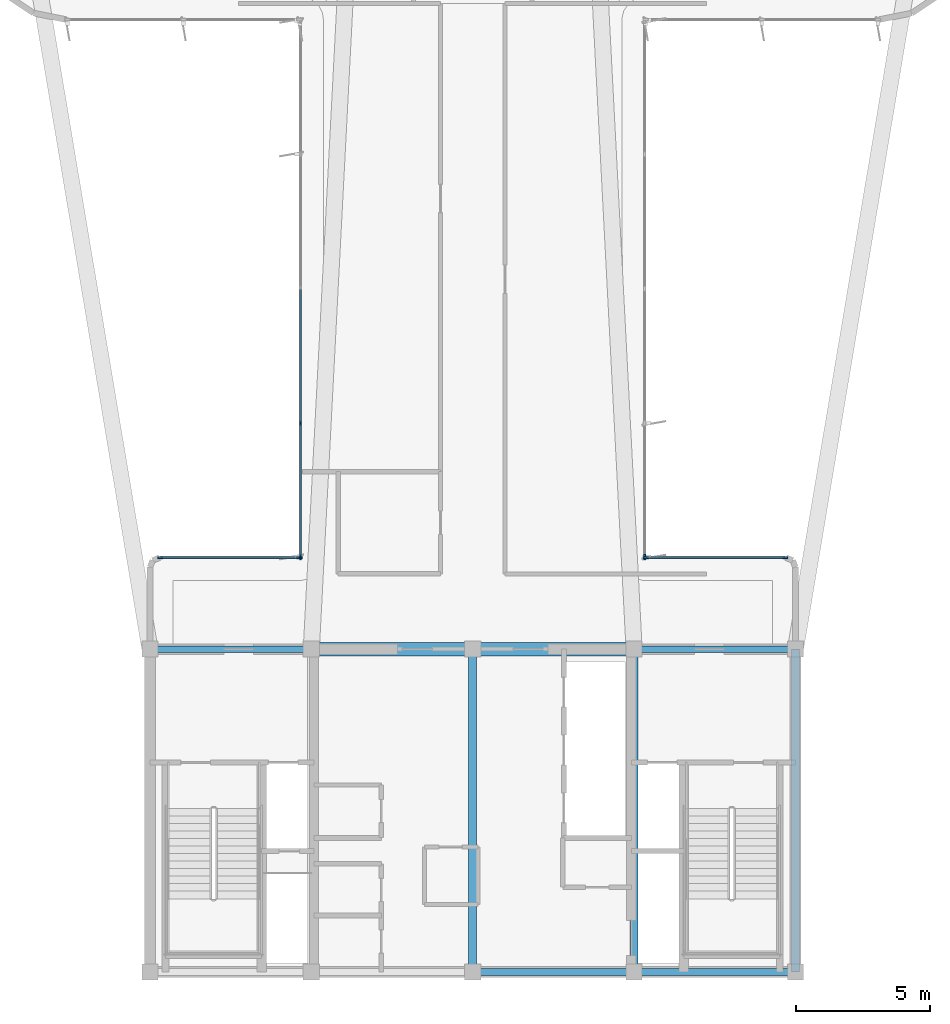
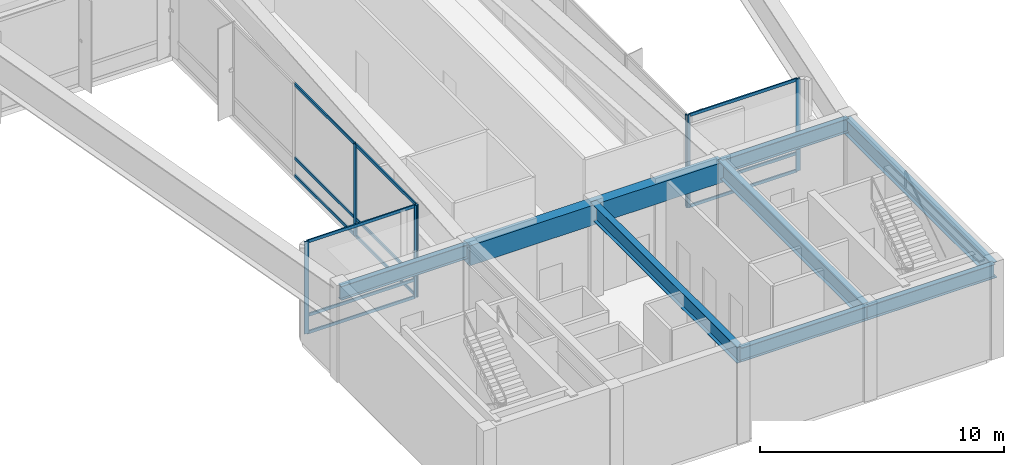
# One storey, part 2 of 13: 19 members, 8 beams, 4 elements without a shape of their own.
"""IFC4 building model written with IfcOpenShell, lengths in metres."""

from ifc_helpers import new_model, si_unit, direction, frame, origin, origin_2d, place, context, subcontext, project, spatial, rectangle, i_section, extrude, source, transform, mapped, material, layer, layer_set, material_profile, profile_set, type_object, element, aggregate, save


model = new_model("IFC4")

# Units and contexts
model_context = context("Model", 3, precision=1e-05, world=origin(), true_north=direction((0.0, 1.0)))
body_context = subcontext(model_context, "Body", "Model", "MODEL_VIEW")
ifc_project = project(units=[si_unit("LENGTHUNIT", "METRE"), si_unit("AREAUNIT", "SQUARE_METRE"), si_unit("VOLUMEUNIT", "CUBIC_METRE"), si_unit("PLANEANGLEUNIT", "RADIAN"), si_unit("MASSUNIT", "GRAM", prefix="KILO")], contexts=[model_context])

# Site, building, storey
site_placement = place(None, origin())
site = spatial("IfcSite", under=ifc_project, at=site_placement, CompositionType="ELEMENT")
building_placement = place(site_placement, origin())
building = spatial("IfcBuilding", under=site, at=building_placement, Name="Brelvock Crest Care Tower", CompositionType="ELEMENT")
storey_placement = place(building_placement, frame((0.0, 0.0, 291.06005859375)))
storey = spatial("IfcBuildingStorey", under=building, at=storey_placement, Name="L74", CompositionType="ELEMENT", Elevation=291.06005859375)

# Beams
ifc_material_1 = material(Name="Steel Grade 350", Category="steel")
ifc_material_profile_1 = material_profile(ifc_material_1, i_section(OverallWidth=0.25, OverallDepth=0.699951171875, WebThickness=0.011962890625, FlangeThickness=0.02001953125, at=origin_2d()), Name="700WB150")
ifc_profile_set_1 = profile_set([ifc_material_profile_1], Name="Steel Grade 350")
beam_type_1 = type_object("IfcBeamType", Name="BM-G4", PredefinedType="BEAM", material=ifc_profile_set_1)
shared_shape_1 = source(origin(), body_context, "Body", "SweptSolid", [
    extrude(i_section(OverallWidth=0.25, OverallDepth=0.699951171875, WebThickness=0.011962890625, FlangeThickness=0.02001953125, at=origin_2d()), origin(), (0.0, 0.0, 1.0), 6.0),
])
for number, where, z_axis, x_axis, name in (
    (1, (24.0, 18.0, 4.260009765625), (1.0, 0.0, 0.0), (0.0, 1.0, 0.0), "BM-COREN-L74-1"),
    (2, (36.0, 6.0, 4.260009765625), (1.0, 0.0, 0.0), (0.0, 1.0, 0.0), "BM-CORES-L74-3"),
    (3, (42.0, 6.0, 4.260009765625), (1.0, 0.0, 0.0), (0.0, 1.0, 0.0), "BM-CORES-L74-4"),
    (4, (42.0, 18.0, 4.260009765625), (1.0, 0.0, 0.0), (0.0, 1.0, 0.0), "BM-COREN-L74-4"),
):
    element("IfcBeam", number, at=place(storey_placement, frame(where, z_axis=z_axis, x_axis=x_axis)), inside=storey, type_object=beam_type_1, Name=name, PredefinedType="BEAM", context=body_context, shape_type="MappedRepresentation", body=[
        mapped(shared_shape_1, transform((0.0, 0.0, 0.0), x_axis=(1.0, 0.0, 0.0), y_axis=(0.0, 1.0, 0.0), z_axis=(0.0, 0.0, 1.0), scale=1.0)),
    ])
ifc_material_profile_2 = material_profile(ifc_material_1, i_section(OverallWidth=0.300048828125, OverallDepth=0.800048828125, WebThickness=0.013916015625, FlangeThickness=0.02197265625, at=origin_2d()), Name="800WB192")
ifc_profile_set_2 = profile_set([ifc_material_profile_2], Name="Steel Grade 350")
beam_type_2 = type_object("IfcBeamType", Name="BM-G5", PredefinedType="BEAM", material=ifc_profile_set_2)
shared_shape_2 = source(origin(), body_context, "Body", "SweptSolid", [
    extrude(i_section(OverallWidth=0.300048828125, OverallDepth=0.800048828125, WebThickness=0.013916015625, FlangeThickness=0.02197265625, at=origin_2d()), origin(), (0.0, 0.0, 1.0), 12.0),
])
for number, where, z_axis, x_axis, name in (
    (5, (36.0, 6.0, 4.2099609375), (0.0, 1.0, 0.0), (-1.0, 0.0, 0.0), "BM-COREX-L74-3"),
    (6, (42.0, 6.0, 4.2099609375), (0.0, 1.0, 0.0), (-1.0, 0.0, 0.0), "BM-COREX-L74-4"),
    (7, (48.0, 6.0, 4.2099609375), (0.0, 1.0, 0.0), (-1.0, 0.0, 0.0), "BM-COREX-L74-5"),
):
    element("IfcBeam", number, at=place(storey_placement, frame(where, z_axis=z_axis, x_axis=x_axis)), inside=storey, type_object=beam_type_2, Name=name, PredefinedType="BEAM", context=body_context, shape_type="MappedRepresentation", body=[
        mapped(shared_shape_2, transform((0.0, 0.0, 0.0), x_axis=(1.0, 0.0, 0.0), y_axis=(0.0, 1.0, 0.0), z_axis=(0.0, 0.0, 1.0), scale=1.0)),
    ])
ifc_material_2 = material(Name="Concrete S65 (65 MPa)", Category="concrete")
ifc_material_profile_3 = material_profile(ifc_material_2, rectangle(XDim=0.5, YDim=1.0, at=origin_2d()), Name="RC500x1000")
ifc_profile_set_3 = profile_set([ifc_material_profile_3], Name="Concrete S65 (65 MPa)")
beam_type_3 = type_object("IfcBeamType", Name="BM-LN2", PredefinedType="LINTEL", material=ifc_profile_set_3)
shared_shape_3 = source(origin(), body_context, "Body", "SweptSolid", [
    extrude(rectangle(XDim=0.5, YDim=1.0, at=origin_2d()), origin(), (0.0, 0.0, 1.0), 12.0),
])
beam_placement = place(storey_placement, frame((30.0, 18.0, 4.10986328125), z_axis=(1.0, 0.0, 0.0), x_axis=(0.0, 1.0, 0.0)))
element("IfcBeam", 8, at=beam_placement, inside=storey, type_object=beam_type_3, Name="L74 Core Coupling Lintel Beam", PredefinedType="LINTEL", context=body_context, shape_type="MappedRepresentation", body=[
    mapped(shared_shape_3, transform((0.0, 0.0, 0.0), x_axis=(1.0, 0.0, 0.0), y_axis=(0.0, 1.0, 0.0), z_axis=(0.0, 0.0, 1.0), scale=1.0)),
])

# Curtain wall, members
ifc_material_3 = material(Name="Dark Glass Double Glazed Low-E", Category="glass")
ifc_layer = layer(ifc_material_3, 0.2548828125, Name="CWS-6")
ifc_layer_set = layer_set([ifc_layer], Name="Dark Glass Double Glazed Low-E")
curtain_wall_type = type_object("IfcCurtainWallType", Name="CWS-6", PredefinedType="NOTDEFINED", material=ifc_layer_set)
curtain_wall_1_placement = place(storey_placement, origin())
curtain_wall_1 = element("IfcCurtainWall", 9, at=curtain_wall_1_placement, inside=storey, type_object=curtain_wall_type, Name="L74 Curtain Wall E11", PredefinedType="NOTDEFINED")
ifc_material_4 = material(Name="Aluminium 6063-T6", Category="aluminium")
ifc_material_profile_4 = material_profile(ifc_material_4, rectangle(XDim=0.06494140625, YDim=0.14990234375, at=origin_2d()), Name="ALU65x150")
ifc_profile_set_4 = profile_set([ifc_material_profile_4], Name="Aluminium 6063-T6")
member_type_1 = type_object("IfcMemberType", Name="CWT-1", PredefinedType="USERDEFINED", material=ifc_profile_set_4)
shared_shape_4 = source(origin(), body_context, "Body", "SweptSolid", [
    extrude(rectangle(XDim=0.06494140625, YDim=0.14990234375, at=origin_2d()), origin(), (0.0, 0.0, 1.0), 5.119873046875),
])
member_1_placement = place(storey_placement, frame((42.465087890625, 21.39990234375, 0.032470703125), z_axis=(1.0, 0.0, 0.0), x_axis=(0.0, 1.0, 0.0)))
member_1 = element("IfcMember", 10, at=member_1_placement, type_object=member_type_1, Name="CW-6 transom 1.1", ObjectType="TRANSOM", PredefinedType="USERDEFINED", context=body_context, shape_type="MappedRepresentation", body=[
    mapped(shared_shape_4, transform((0.0, 0.0, 0.0), x_axis=(1.0, 0.0, 0.0), y_axis=(0.0, 1.0, 0.0), z_axis=(0.0, 0.0, 1.0), scale=1.0)),
])
member_2_placement = place(storey_placement, frame((42.465087890625, 21.39990234375, 0.89990234375), z_axis=(1.0, 0.0, 0.0), x_axis=(0.0, 1.0, 0.0)))
member_2 = element("IfcMember", 11, at=member_2_placement, type_object=member_type_1, Name="CW-6 transom 1.2", ObjectType="TRANSOM", PredefinedType="USERDEFINED", context=body_context, shape_type="MappedRepresentation", body=[
    mapped(shared_shape_4, transform((0.0, 0.0, 0.0), x_axis=(1.0, 0.0, 0.0), y_axis=(0.0, 1.0, 0.0), z_axis=(0.0, 0.0, 1.0), scale=1.0)),
])
member_3_placement = place(storey_placement, frame((42.465087890625, 21.39990234375, 4.577392578125), z_axis=(1.0, 0.0, 0.0), x_axis=(0.0, 1.0, 0.0)))
member_3 = element("IfcMember", 12, at=member_3_placement, type_object=member_type_1, Name="CW-6 transom 1.3", ObjectType="TRANSOM", PredefinedType="USERDEFINED", context=body_context, shape_type="MappedRepresentation", body=[
    mapped(shared_shape_4, transform((0.0, 0.0, 0.0), x_axis=(1.0, 0.0, 0.0), y_axis=(0.0, 1.0, 0.0), z_axis=(0.0, 0.0, 1.0), scale=1.0)),
])

curtain_wall_2_placement = place(storey_placement, origin())
curtain_wall_2 = element("IfcCurtainWall", 13, at=curtain_wall_2_placement, inside=storey, type_object=curtain_wall_type, Name="L74 Curtain Wall E23", PredefinedType="NOTDEFINED")
member_4_placement = place(storey_placement, frame((24.4150390625, 21.39990234375, 0.032470703125), z_axis=(1.0, 0.0, 0.0), x_axis=(0.0, 1.0, 0.0)))
member_4 = element("IfcMember", 14, at=member_4_placement, type_object=member_type_1, Name="CW-6 transom 1.1", ObjectType="TRANSOM", PredefinedType="USERDEFINED", context=body_context, shape_type="MappedRepresentation", body=[
    mapped(shared_shape_4, transform((0.0, 0.0, 0.0), x_axis=(1.0, 0.0, 0.0), y_axis=(0.0, 1.0, 0.0), z_axis=(0.0, 0.0, 1.0), scale=1.0)),
])
member_5_placement = place(storey_placement, frame((24.4150390625, 21.39990234375, 0.89990234375), z_axis=(1.0, 0.0, 0.0), x_axis=(0.0, 1.0, 0.0)))
member_5 = element("IfcMember", 15, at=member_5_placement, type_object=member_type_1, Name="CW-6 transom 1.2", ObjectType="TRANSOM", PredefinedType="USERDEFINED", context=body_context, shape_type="MappedRepresentation", body=[
    mapped(shared_shape_4, transform((0.0, 0.0, 0.0), x_axis=(1.0, 0.0, 0.0), y_axis=(0.0, 1.0, 0.0), z_axis=(0.0, 0.0, 1.0), scale=1.0)),
])
member_6_placement = place(storey_placement, frame((24.4150390625, 21.39990234375, 4.577392578125), z_axis=(1.0, 0.0, 0.0), x_axis=(0.0, 1.0, 0.0)))
member_6 = element("IfcMember", 16, at=member_6_placement, type_object=member_type_1, Name="CW-6 transom 1.3", ObjectType="TRANSOM", PredefinedType="USERDEFINED", context=body_context, shape_type="MappedRepresentation", body=[
    mapped(shared_shape_4, transform((0.0, 0.0, 0.0), x_axis=(1.0, 0.0, 0.0), y_axis=(0.0, 1.0, 0.0), z_axis=(0.0, 0.0, 1.0), scale=1.0)),
])

curtain_wall_3_placement = place(storey_placement, origin())
curtain_wall_3 = element("IfcCurtainWall", 17, at=curtain_wall_3_placement, inside=storey, type_object=curtain_wall_type, Name="L74 Curtain Wall E24", PredefinedType="NOTDEFINED")
shared_shape_5 = source(origin(), body_context, "Body", "SweptSolid", [
    extrude(rectangle(XDim=0.06494140625, YDim=0.14990234375, at=origin_2d()), origin(), (0.0, 0.0, 1.0), 4.90234375),
])
member_7_placement = place(storey_placement, frame((29.60009765625, 21.465087890625, 0.032470703125), z_axis=(0.0, 1.0, 0.0), x_axis=(-1.0, 0.0, 0.0)))
member_7 = element("IfcMember", 18, at=member_7_placement, type_object=member_type_1, Name="CW-6 transom 1.1", ObjectType="TRANSOM", PredefinedType="USERDEFINED", context=body_context, shape_type="MappedRepresentation", body=[
    mapped(shared_shape_5, transform((0.0, 0.0, 0.0), x_axis=(1.0, 0.0, 0.0), y_axis=(0.0, 1.0, 0.0), z_axis=(0.0, 0.0, 1.0), scale=1.0)),
])
member_8_placement = place(storey_placement, frame((29.60009765625, 21.465087890625, 0.89990234375), z_axis=(0.0, 1.0, 0.0), x_axis=(-1.0, 0.0, 0.0)))
member_8 = element("IfcMember", 19, at=member_8_placement, type_object=member_type_1, Name="CW-6 transom 1.2", ObjectType="TRANSOM", PredefinedType="USERDEFINED", context=body_context, shape_type="MappedRepresentation", body=[
    mapped(shared_shape_5, transform((0.0, 0.0, 0.0), x_axis=(1.0, 0.0, 0.0), y_axis=(0.0, 1.0, 0.0), z_axis=(0.0, 0.0, 1.0), scale=1.0)),
])
member_9_placement = place(storey_placement, frame((29.60009765625, 21.465087890625, 4.577392578125), z_axis=(0.0, 1.0, 0.0), x_axis=(-1.0, 0.0, 0.0)))
member_9 = element("IfcMember", 20, at=member_9_placement, type_object=member_type_1, Name="CW-6 transom 1.3", ObjectType="TRANSOM", PredefinedType="USERDEFINED", context=body_context, shape_type="MappedRepresentation", body=[
    mapped(shared_shape_5, transform((0.0, 0.0, 0.0), x_axis=(1.0, 0.0, 0.0), y_axis=(0.0, 1.0, 0.0), z_axis=(0.0, 0.0, 1.0), scale=1.0)),
])
shared_shape_6 = source(origin(), body_context, "Body", "SweptSolid", [
    extrude(rectangle(XDim=0.06494140625, YDim=0.14990234375, at=origin_2d()), origin(), (0.0, 0.0, 1.0), 4.934814453125),
])
member_10_placement = place(storey_placement, frame((29.60009765625, 26.4326171875, 0.032470703125), z_axis=(0.0, 1.0, 0.0), x_axis=(-1.0, 0.0, 0.0)))
member_10 = element("IfcMember", 21, at=member_10_placement, type_object=member_type_1, Name="CW-6 transom 2.1", ObjectType="TRANSOM", PredefinedType="USERDEFINED", context=body_context, shape_type="MappedRepresentation", body=[
    mapped(shared_shape_6, transform((0.0, 0.0, 0.0), x_axis=(1.0, 0.0, 0.0), y_axis=(0.0, 1.0, 0.0), z_axis=(0.0, 0.0, 1.0), scale=1.0)),
])
member_11_placement = place(storey_placement, frame((29.60009765625, 26.4326171875, 0.89990234375), z_axis=(0.0, 1.0, 0.0), x_axis=(-1.0, 0.0, 0.0)))
member_11 = element("IfcMember", 22, at=member_11_placement, type_object=member_type_1, Name="CW-6 transom 2.2", ObjectType="TRANSOM", PredefinedType="USERDEFINED", context=body_context, shape_type="MappedRepresentation", body=[
    mapped(shared_shape_6, transform((0.0, 0.0, 0.0), x_axis=(1.0, 0.0, 0.0), y_axis=(0.0, 1.0, 0.0), z_axis=(0.0, 0.0, 1.0), scale=1.0)),
])
member_12_placement = place(storey_placement, frame((29.60009765625, 26.4326171875, 4.577392578125), z_axis=(0.0, 1.0, 0.0), x_axis=(-1.0, 0.0, 0.0)))
member_12 = element("IfcMember", 23, at=member_12_placement, type_object=member_type_1, Name="CW-6 transom 2.3", ObjectType="TRANSOM", PredefinedType="USERDEFINED", context=body_context, shape_type="MappedRepresentation", body=[
    mapped(shared_shape_6, transform((0.0, 0.0, 0.0), x_axis=(1.0, 0.0, 0.0), y_axis=(0.0, 1.0, 0.0), z_axis=(0.0, 0.0, 1.0), scale=1.0)),
])

# Curtain wall, member
curtain_wall_4_placement = place(storey_placement, origin())
curtain_wall_4 = element("IfcCurtainWall", 24, at=curtain_wall_4_placement, inside=storey, type_object=curtain_wall_type, Name="L74 Curtain Wall E10", PredefinedType="NOTDEFINED")
ifc_material_profile_5 = material_profile(ifc_material_4, rectangle(XDim=0.06494140625, YDim=0.199951171875, at=origin_2d()), Name="ALU65x200")
ifc_profile_set_5 = profile_set([ifc_material_profile_5], Name="Aluminium 6063-T6")
member_type_2 = type_object("IfcMemberType", Name="CWM-1", PredefinedType="MULLION", material=ifc_profile_set_5)
shared_shape_7 = source(origin(), body_context, "Body", "SweptSolid", [
    extrude(rectangle(XDim=0.06494140625, YDim=0.199951171875, at=origin_2d()), origin(), (0.0, 0.0, 1.0), 4.60986328125),
])
member_13_placement = place(storey_placement, frame((42.39990234375, 21.4326171875, 0.0), z_axis=(0.0, 0.0, 1.0), x_axis=(1.0, 0.0, 0.0)))
member_13 = element("IfcMember", 25, at=member_13_placement, type_object=member_type_2, Name="CW-6 mullion 5", PredefinedType="MULLION", context=body_context, shape_type="MappedRepresentation", body=[
    mapped(shared_shape_7, transform((0.0, 0.0, 0.0), x_axis=(1.0, 0.0, 0.0), y_axis=(0.0, 1.0, 0.0), z_axis=(0.0, 0.0, 1.0), scale=1.0)),
])
aggregate(curtain_wall_4, [member_13])

# Member
member_14_placement = place(storey_placement, frame((42.4326171875, 21.39990234375, 0.0), z_axis=(0.0, 0.0, 1.0), x_axis=(0.0, 1.0, 0.0)))
member_14 = element("IfcMember", 26, at=member_14_placement, type_object=member_type_2, Name="CW-6 mullion 1", PredefinedType="MULLION", context=body_context, shape_type="MappedRepresentation", body=[
    mapped(shared_shape_7, transform((0.0, 0.0, 0.0), x_axis=(1.0, 0.0, 0.0), y_axis=(0.0, 1.0, 0.0), z_axis=(0.0, 0.0, 1.0), scale=1.0)),
])

member_15_placement = place(storey_placement, frame((47.617431640625, 21.39990234375, 0.0), z_axis=(0.0, 0.0, 1.0), x_axis=(0.0, 1.0, 0.0)))
member_15 = element("IfcMember", 27, at=member_15_placement, type_object=member_type_2, Name="CW-6 mullion 2", PredefinedType="MULLION", context=body_context, shape_type="MappedRepresentation", body=[
    mapped(shared_shape_7, transform((0.0, 0.0, 0.0), x_axis=(1.0, 0.0, 0.0), y_axis=(0.0, 1.0, 0.0), z_axis=(0.0, 0.0, 1.0), scale=1.0)),
])

aggregate(curtain_wall_1, [member_14, member_15, member_1, member_2, member_3])

member_16_placement = place(storey_placement, frame((24.382568359375, 21.39990234375, 0.0), z_axis=(0.0, 0.0, 1.0), x_axis=(0.0, 1.0, 0.0)))
member_16 = element("IfcMember", 28, at=member_16_placement, type_object=member_type_2, Name="CW-6 mullion 1", PredefinedType="MULLION", context=body_context, shape_type="MappedRepresentation", body=[
    mapped(shared_shape_7, transform((0.0, 0.0, 0.0), x_axis=(1.0, 0.0, 0.0), y_axis=(0.0, 1.0, 0.0), z_axis=(0.0, 0.0, 1.0), scale=1.0)),
])

member_17_placement = place(storey_placement, frame((29.5673828125, 21.39990234375, 0.0), z_axis=(0.0, 0.0, 1.0), x_axis=(0.0, 1.0, 0.0)))
member_17 = element("IfcMember", 29, at=member_17_placement, type_object=member_type_2, Name="CW-6 mullion 2", PredefinedType="MULLION", context=body_context, shape_type="MappedRepresentation", body=[
    mapped(shared_shape_7, transform((0.0, 0.0, 0.0), x_axis=(1.0, 0.0, 0.0), y_axis=(0.0, 1.0, 0.0), z_axis=(0.0, 0.0, 1.0), scale=1.0)),
])

aggregate(curtain_wall_2, [member_16, member_17, member_4, member_5, member_6])

member_18_placement = place(storey_placement, frame((29.60009765625, 21.4326171875, 0.0), z_axis=(0.0, 0.0, 1.0), x_axis=(-1.0, 0.0, 0.0)))
member_18 = element("IfcMember", 30, at=member_18_placement, type_object=member_type_2, Name="CW-6 mullion 1", PredefinedType="MULLION", context=body_context, shape_type="MappedRepresentation", body=[
    mapped(shared_shape_7, transform((0.0, 0.0, 0.0), x_axis=(1.0, 0.0, 0.0), y_axis=(0.0, 1.0, 0.0), z_axis=(0.0, 0.0, 1.0), scale=1.0)),
])

member_19_placement = place(storey_placement, frame((29.60009765625, 26.39990234375, 0.0), z_axis=(0.0, 0.0, 1.0), x_axis=(-1.0, 0.0, 0.0)))
member_19 = element("IfcMember", 31, at=member_19_placement, type_object=member_type_2, Name="CW-6 mullion 2", PredefinedType="MULLION", context=body_context, shape_type="MappedRepresentation", body=[
    mapped(shared_shape_7, transform((0.0, 0.0, 0.0), x_axis=(1.0, 0.0, 0.0), y_axis=(0.0, 1.0, 0.0), z_axis=(0.0, 0.0, 1.0), scale=1.0)),
])

aggregate(curtain_wall_3, [member_18, member_19, member_7, member_8, member_9, member_10, member_11, member_12])

save(model, "model.ifc")
